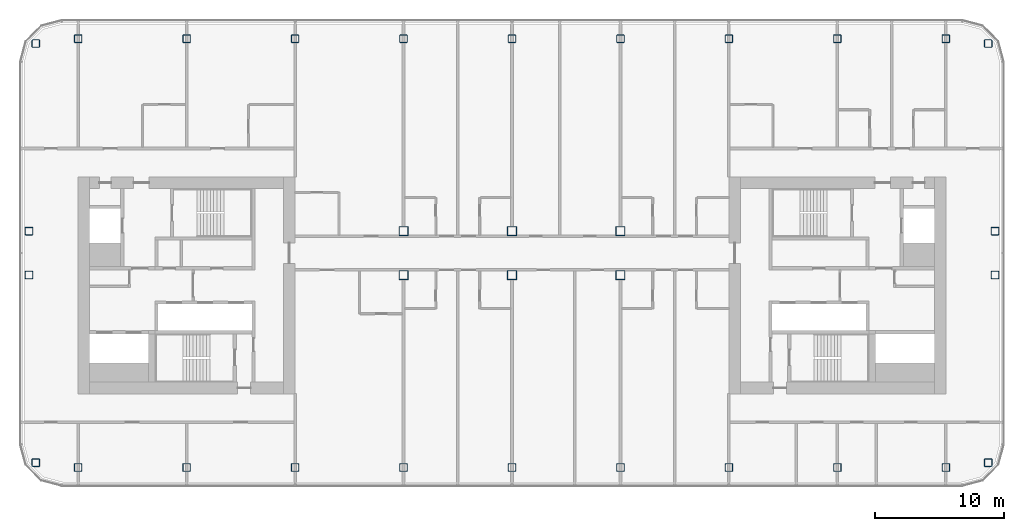
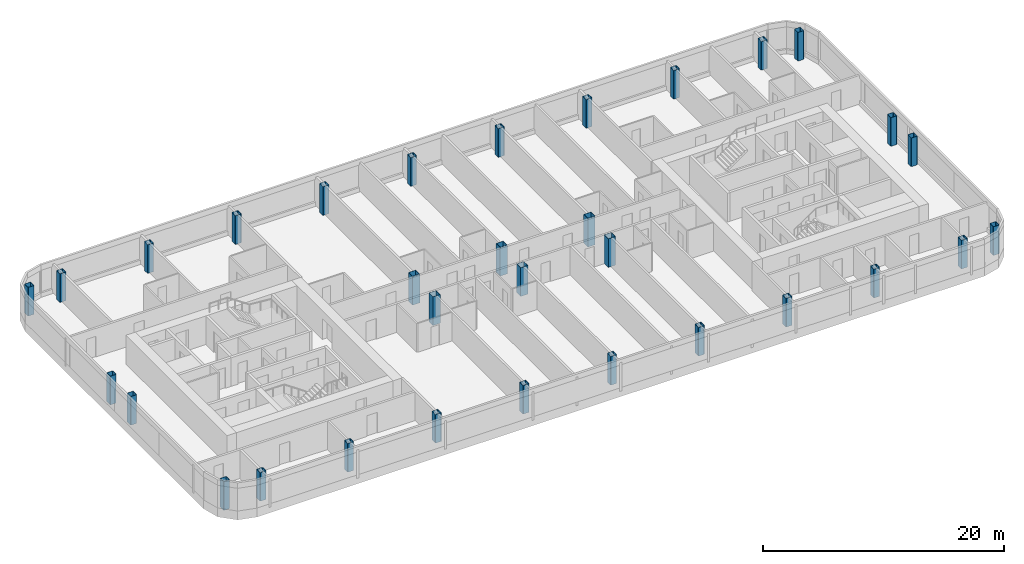
# One storey, part 1 of 26: 32 columns.
"""IFC4 building model written with IfcOpenShell, lengths in metres."""

from ifc_helpers import new_model, si_unit, direction, frame, origin, origin_2d, place, context, subcontext, project, spatial, hollow_rectangle, extrude, material, material_profile, profile_set, type_object, element, save


model = new_model("IFC4")

# Units and contexts
model_context = context("Model", 3, precision=1e-05, world=origin(), true_north=direction((0.0, 1.0)))
body_context = subcontext(model_context, "Body", "Model", "MODEL_VIEW")
ifc_project = project(units=[si_unit("LENGTHUNIT", "METRE"), si_unit("AREAUNIT", "SQUARE_METRE"), si_unit("VOLUMEUNIT", "CUBIC_METRE"), si_unit("PLANEANGLEUNIT", "RADIAN"), si_unit("MASSUNIT", "GRAM", prefix="KILO")], contexts=[model_context])

# Site, building, storey
site_placement = place(None, origin())
site = spatial("IfcSite", under=ifc_project, at=site_placement, CompositionType="ELEMENT")
building_placement = place(site_placement, origin())
building = spatial("IfcBuilding", under=site, at=building_placement, Name="Hakoniwa Tower and Hamabe Station Hall", CompositionType="ELEMENT")
storey_placement = place(building_placement, frame((0.0, 0.0, 225.0)))
storey = spatial("IfcBuildingStorey", under=building, at=storey_placement, Name="L64", CompositionType="ELEMENT", Elevation=225.0)

# Columns
ifc_material_1 = material(Name="Steel BCP325", Category="steel")
ifc_material_profile_1 = material_profile(ifc_material_1, hollow_rectangle(XDim=0.60009765625, YDim=0.60009765625, WallThickness=0.02490234375, InnerFilletRadius=0.03759765625, OuterFilletRadius=0.0625, at=origin_2d()), Name="BCP-600x600x25")
ifc_profile_set_1 = profile_set([ifc_material_profile_1], Name="Steel BCP325")
column_type_1 = type_object("IfcColumnType", Name="COLUMN BCP-600x600x25", PredefinedType="COLUMN", material=ifc_profile_set_1)
for number, where, z_axis, x_axis, name in (
    (1, (-36.877685546875, -13.728515625, 0.0), (0.0, 0.0, 1.0), (1.0, 0.0, 0.0), "Column B4-EW-A4"),
    (2, (-37.39990234375, 0.800048828125, 0.0), (0.0, 0.0, 1.0), (1.0, 0.0, 0.0), "Column B4-EW-C4"),
    (3, (-37.39990234375, 4.199951171875, 0.0), (0.0, 0.0, 1.0), (1.0, 0.0, 0.0), "Column B4-EW-D4"),
    (4, (-36.877685546875, 18.728515625, 0.0), (0.0, 0.0, 1.0), (1.0, 0.0, 0.0), "Column B4-EW-F4"),
    (5, (-33.60009765625, -14.10009765625, 0.0), (0.0, 0.0, 1.0), (1.0, 0.0, 0.0), "Column B4-3-A4"),
    (6, (-33.60009765625, 19.10009765625, 0.0), (0.0, 0.0, 1.0), (1.0, 0.0, 0.0), "Column B4-3-F4"),
    (7, (-25.199951171875, -14.10009765625, 0.0), (0.0, 0.0, 1.0), (1.0, 0.0, 0.0), "Column B4-4-A4"),
    (8, (-25.199951171875, 19.10009765625, 0.0), (0.0, 0.0, 1.0), (1.0, 0.0, 0.0), "Column B4-4-F4"),
    (9, (-16.800048828125, -14.10009765625, 0.0), (0.0, 0.0, 1.0), (1.0, 0.0, 0.0), "Column B4-5-A4"),
    (10, (-16.800048828125, 19.10009765625, 0.0), (0.0, 0.0, 1.0), (1.0, 0.0, 0.0), "Column B4-5-F4"),
    (11, (-8.39990234375, -14.10009765625, 0.0), (0.0, 0.0, 1.0), (1.0, 0.0, 0.0), "Column B4-6-A4"),
    (12, (-8.39990234375, 19.10009765625, 0.0), (0.0, 0.0, 1.0), (1.0, 0.0, 0.0), "Column B4-6-F4"),
    (13, (0.0, -14.10009765625, 0.0), (0.0, 0.0, 1.0), (1.0, 0.0, 0.0), "Column B4-7-A4"),
    (14, (0.0, 19.10009765625, 0.0), (0.0, 0.0, 1.0), (1.0, 0.0, 0.0), "Column B4-7-F4"),
    (15, (8.39990234375, -14.10009765625, 0.0), (0.0, 0.0, 1.0), (1.0, 0.0, 0.0), "Column B4-8-A4"),
    (16, (8.39990234375, 19.10009765625, 0.0), (0.0, 0.0, 1.0), (1.0, 0.0, 0.0), "Column B4-8-F4"),
    (17, (16.800048828125, -14.10009765625, 0.0), (0.0, 0.0, 1.0), (1.0, 0.0, 0.0), "Column B4-9-A4"),
    (18, (16.800048828125, 19.10009765625, 0.0), (0.0, 0.0, 1.0), (1.0, 0.0, 0.0), "Column B4-9-F4"),
    (19, (25.199951171875, -14.10009765625, 0.0), (0.0, 0.0, 1.0), (1.0, 0.0, 0.0), "Column B4-10-A4"),
    (20, (25.199951171875, 19.10009765625, 0.0), (0.0, 0.0, 1.0), (1.0, 0.0, 0.0), "Column B4-10-F4"),
    (21, (33.60009765625, -14.10009765625, 0.0), (0.0, 0.0, 1.0), (1.0, 0.0, 0.0), "Column B4-11-A4"),
    (22, (33.60009765625, 19.10009765625, 0.0), (0.0, 0.0, 1.0), (1.0, 0.0, 0.0), "Column B4-11-F4"),
    (23, (36.877685546875, -13.728515625, 0.0), (0.0, 0.0, 1.0), (1.0, 0.0, 0.0), "Column B4-EE-A4"),
    (24, (37.39990234375, 0.800048828125, 0.0), (0.0, 0.0, 1.0), (1.0, 0.0, 0.0), "Column B4-EE-C4"),
    (25, (37.39990234375, 4.199951171875, 0.0), (0.0, 0.0, 1.0), (1.0, 0.0, 0.0), "Column B4-EE-D4"),
    (26, (36.877685546875, 18.728515625, 0.0), (0.0, 0.0, 1.0), (1.0, 0.0, 0.0), "Column B4-EE-F4"),
):
    element("IfcColumn", number, at=place(storey_placement, frame(where, z_axis=z_axis, x_axis=x_axis)), inside=storey, type_object=column_type_1, Name=name, PredefinedType="COLUMN", context=body_context, shape_type="SweptSolid", body=[
        extrude(hollow_rectangle(XDim=0.60009765625, YDim=0.60009765625, WallThickness=0.02490234375, InnerFilletRadius=0.03759765625, OuterFilletRadius=0.0625, at=origin_2d()), origin(), (0.0, 0.0, 1.0), 2.89990234375),
    ])
ifc_material_2 = material(Name="Steel SN490C", Category="steel")
ifc_material_profile_2 = material_profile(ifc_material_2, hollow_rectangle(XDim=0.699951171875, YDim=0.699951171875, WallThickness=0.028076171875, at=origin_2d()), Name="BX-700x700x28")
ifc_profile_set_2 = profile_set([ifc_material_profile_2], Name="Steel SN490C")
column_type_2 = type_object("IfcColumnType", Name="COLUMN BX-700x700x28", PredefinedType="COLUMN", material=ifc_profile_set_2)
for number, where, z_axis, x_axis, name in (
    (27, (-8.39990234375, 0.800048828125, 0.0), (0.0, 0.0, 1.0), (1.0, 0.0, 0.0), "Column B4-6-C4"),
    (28, (-8.39990234375, 4.199951171875, 0.0), (0.0, 0.0, 1.0), (1.0, 0.0, 0.0), "Column B4-6-D4"),
    (29, (0.0, 0.800048828125, 0.0), (0.0, 0.0, 1.0), (1.0, 0.0, 0.0), "Column B4-7-C4"),
    (30, (0.0, 4.199951171875, 0.0), (0.0, 0.0, 1.0), (1.0, 0.0, 0.0), "Column B4-7-D4"),
    (31, (8.39990234375, 0.800048828125, 0.0), (0.0, 0.0, 1.0), (1.0, 0.0, 0.0), "Column B4-8-C4"),
    (32, (8.39990234375, 4.199951171875, 0.0), (0.0, 0.0, 1.0), (1.0, 0.0, 0.0), "Column B4-8-D4"),
):
    element("IfcColumn", number, at=place(storey_placement, frame(where, z_axis=z_axis, x_axis=x_axis)), inside=storey, type_object=column_type_2, Name=name, PredefinedType="COLUMN", context=body_context, shape_type="SweptSolid", body=[
        extrude(hollow_rectangle(XDim=0.699951171875, YDim=0.699951171875, WallThickness=0.028076171875, at=origin_2d()), origin(), (0.0, 0.0, 1.0), 2.89990234375),
    ])

save(model, "model.ifc")
